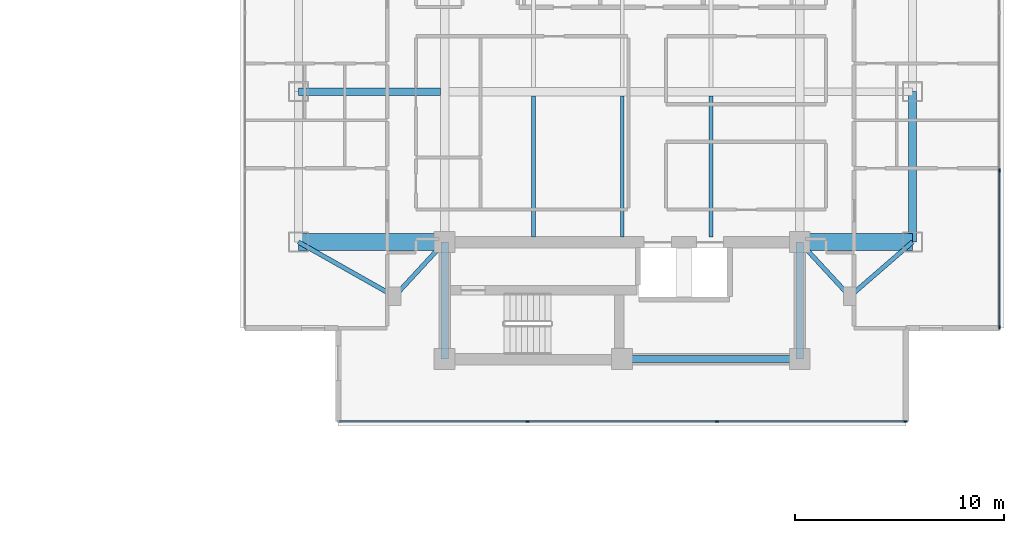
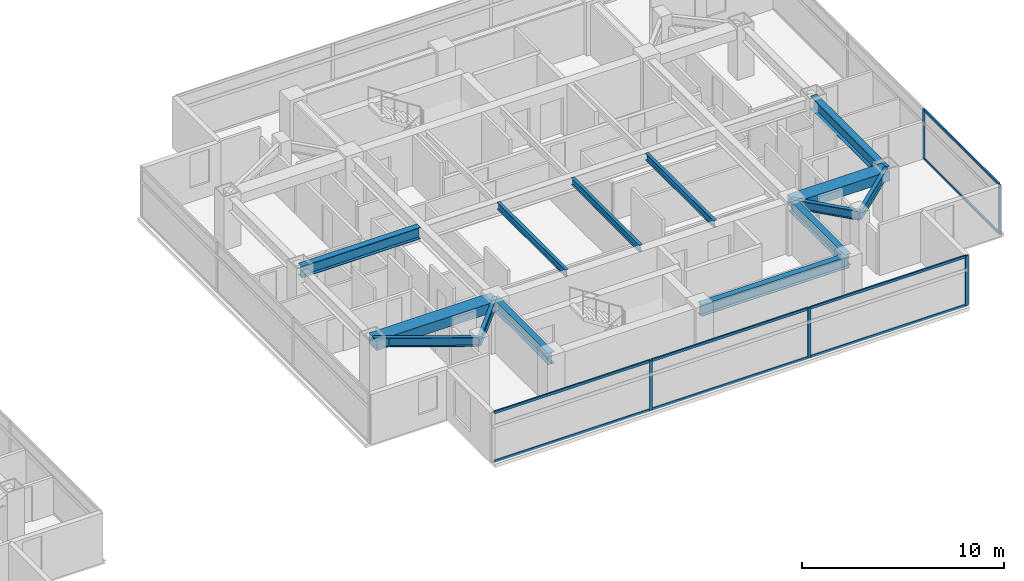
# One storey, part 8 of 25: 14 beams, 13 members, 2 elements without a shape of their own.
"""IFC4 building model written with IfcOpenShell, lengths in metres."""

import ifcopenshell
import ifcopenshell.guid

model = None  # the IFC model being written
_history = None  # IfcOwnerHistory: only IFC2X3 demands one
_inside = {}  # id of a spatial element -> (the spatial element, [elements in it])
_under = {}  # id of a project, library or spatial element -> (it, [spatial elements below it])
_declared = {}  # id of a project -> (the project, [libraries it declares])
_typed = {}  # id of a type object -> (the type object, [elements of that type])
_made_of = {}  # id of a material, layer set ... -> (it, [elements and type objects made of it])


def new_model(schema):
    """Start an empty IFC model of exactly this schema.

    Asked for "IFC4X3", IfcOpenShell would pick the latest addendum, in which some entities
    have other attributes; the version numbers below select the first issue.
    IFC2X3 requires an IfcOwnerHistory on every rooted entity: one is made here for all.
    """
    global model, _history
    if schema == "IFC4X3":
        model = ifcopenshell.file(schema_version=(4, 3, 0, 0))
    else:
        model = ifcopenshell.file(schema=schema)
    _inside.clear()
    _under.clear()
    _declared.clear()
    _typed.clear()
    _made_of.clear()
    _history = None
    if model.schema == "IFC2X3":
        org = make("IfcOrganization", Name="unknown")
        user = make(
            "IfcPersonAndOrganization",
            ThePerson=make("IfcPerson", FamilyName="unknown"),
            TheOrganization=org,
        )
        app = make(
            "IfcApplication",
            ApplicationDeveloper=org,
            Version="unknown",
            ApplicationFullName="unknown",
            ApplicationIdentifier="unknown",
        )
        _history = make(
            "IfcOwnerHistory",
            OwningUser=user,
            OwningApplication=app,
            ChangeAction="ADDED",
            CreationDate=0,
        )
    return model


def make(cls, **values):
    """One entity of the class cls with the attributes given. An attribute that is None is left unset."""
    return model.create_entity(
        cls, **{name: value for name, value in values.items() if value is not None}
    )


def rooted(cls, **values):
    """An entity with a GlobalId (a new one), such as an element, a storey or a relation."""
    return make(cls, GlobalId=ifcopenshell.guid.new(), OwnerHistory=_history, **values)


def si_unit(unit_type, name, prefix=None):
    """IfcSIUnit, for example si_unit("LENGTHUNIT", "METRE", prefix="MILLI")."""
    return make("IfcSIUnit", UnitType=unit_type, Prefix=prefix, Name=name)


def assignment(units):
    """IfcUnitAssignment: the units of a project."""
    return None if units is None else make("IfcUnitAssignment", Units=units)


def point(xyz):
    """IfcCartesianPoint."""
    return None if xyz is None else make("IfcCartesianPoint", Coordinates=xyz)


def direction(xyz):
    """IfcDirection."""
    return None if xyz is None else make("IfcDirection", DirectionRatios=xyz)


def frame(location, z_axis=None, x_axis=None):
    """IfcAxis2Placement3D, a coordinate frame: its origin and axes. An axis left out is left unset."""
    return make(
        "IfcAxis2Placement3D",
        Location=point(location),
        Axis=direction(z_axis),
        RefDirection=direction(x_axis),
    )


def frame_2d(location, x_axis=None):
    """IfcAxis2Placement2D, a coordinate frame in the plane: its origin and x axis."""
    return make(
        "IfcAxis2Placement2D", Location=point(location), RefDirection=direction(x_axis)
    )


def origin():
    """The frame at (0, 0, 0) with its axes left unset."""
    return frame((0.0, 0.0, 0.0))


def origin_2d():
    """The frame at (0, 0) in the plane with its x axis left unset."""
    return frame_2d((0.0, 0.0))


def place(relative_to, where):
    """IfcLocalPlacement: puts the frame where relative to a parent placement (None: the world)."""
    return make(
        "IfcLocalPlacement", PlacementRelTo=relative_to, RelativePlacement=where
    )


def context(
    kind, dimensions, precision=None, world=None, true_north=None, identifier=None
):
    """IfcGeometricRepresentationContext, for example the 3D "Model" context."""
    return make(
        "IfcGeometricRepresentationContext",
        ContextIdentifier=identifier,
        ContextType=kind,
        CoordinateSpaceDimension=dimensions,
        Precision=precision,
        WorldCoordinateSystem=world,
        TrueNorth=true_north,
    )


def subcontext(parent, identifier, kind, view, scale=None):
    """IfcGeometricRepresentationSubContext, for example "Body" below "Model"."""
    return make(
        "IfcGeometricRepresentationSubContext",
        ContextIdentifier=identifier,
        ContextType=kind,
        ParentContext=parent,
        TargetScale=scale,
        TargetView=view,
    )


def project(units=None, contexts=None):
    """IfcProject with its units and contexts."""
    return rooted(
        "IfcProject",
        Name="project",
        RepresentationContexts=contexts,
        UnitsInContext=assignment(units),
    )


def spatial(cls, under=None, at=None, **own):
    """A site, building, storey or space (cls), placed at a placement, below another one or the project."""
    s = rooted(cls, ObjectPlacement=at, **own)
    if under is not None:
        _under.setdefault(under.id(), (under, []))[1].append(s)
    return s


def profile(cls, at=None, kind="AREA", **sizes):
    """A parametric profile (cls). Its sizes go by their IFC names, for example OverallWidth=200.0."""
    return make(cls, ProfileType=kind, Position=at, **sizes)


def rectangle(**sizes):
    """IfcRectangleProfileDef."""
    return profile("IfcRectangleProfileDef", **sizes)


def i_section(**sizes):
    """IfcIShapeProfileDef."""
    return profile("IfcIShapeProfileDef", **sizes)


def extrude(swept, where, along, depth):
    """IfcExtrudedAreaSolid: the profile swept, set in the frame where, extruded along a direction by depth."""
    return make(
        "IfcExtrudedAreaSolid",
        SweptArea=swept,
        Position=where,
        ExtrudedDirection=direction(along),
        Depth=depth,
    )


def shape(context_of_items, identifier, shape_type, items):
    """IfcShapeRepresentation: the items that make up one representation, for example the "Body"."""
    return make(
        "IfcShapeRepresentation",
        ContextOfItems=context_of_items,
        RepresentationIdentifier=identifier,
        RepresentationType=shape_type,
        Items=items,
    )


def material(Name=None, Category=None):
    """IfcMaterial."""
    return make("IfcMaterial", Name=Name, Category=Category)


def material_profile(
    of_material, cross_section, Name=None, Category=None, Priority=None
):
    """IfcMaterialProfile: a cross section and its material."""
    return make(
        "IfcMaterialProfile",
        Name=Name,
        Material=of_material,
        Profile=cross_section,
        Priority=Priority,
        Category=Category,
    )


def profile_set(profiles, Name=None, composite=None):
    """IfcMaterialProfileSet."""
    return make(
        "IfcMaterialProfileSet",
        Name=Name,
        MaterialProfiles=profiles,
        CompositeProfile=composite,
    )


def made_of(thing, what):
    """Note that an element or type object is made of a material, layer set ...; save() writes the relation."""
    if what is not None:
        _made_of.setdefault(what.id(), (what, []))[1].append(thing)
    return thing


def type_object(cls, material=None, **own):
    """A type object (cls), such as IfcWallType, which elements share."""
    return made_of(rooted(cls, **own), material)


def element(
    cls,
    number,
    at=None,
    inside=None,
    cuts=None,
    type_object=None,
    material=None,
    context=None,
    identifier="Body",
    shape_type=None,
    held_by="IfcProductDefinitionShape",
    body=None,
    shapes=None,
    **own,
):
    """One element of the class cls, such as IfcWall. Its Tag is "e" and its number.

    at: its placement. inside: the storey or other place that contains it. cuts: it is an
    opening in that element (IfcRelVoidsElement). A single representation is given by context,
    identifier, shape_type and body (its items); several are given by shapes. held_by: the class
    of the entity that holds the representations. save() writes the other relations.
    """
    e = rooted(cls, Tag="e%d" % number, ObjectPlacement=at, **own)
    if body is not None:
        shapes = [shape(context, identifier, shape_type, body)]
    if shapes is not None:
        e.Representation = make(held_by, Representations=shapes)
    if inside is not None:
        _inside.setdefault(inside.id(), (inside, []))[1].append(e)
    if cuts is not None:
        rooted(
            "IfcRelVoidsElement", RelatingBuildingElement=cuts, RelatedOpeningElement=e
        )
    if type_object is not None:
        _typed.setdefault(type_object.id(), (type_object, []))[1].append(e)
    return made_of(e, material)


def aggregate(whole, parts):
    """IfcRelAggregates: a whole, such as a stair, and the parts it consists of."""
    return rooted("IfcRelAggregates", RelatingObject=whole, RelatedObjects=parts)


def save(model, path):
    """Write the relations noted so far, then the file.

    IfcRelAggregates (storeys below a building ...), IfcRelContainedInSpatialStructure (elements
    in a storey), IfcRelDefinesByType, IfcRelAssociatesMaterial and IfcRelDeclares: one each for
    every whole, place, type object, material and project.
    """
    for whole, parts in _under.values():
        aggregate(whole, parts)
    for where, things in _inside.values():
        rooted(
            "IfcRelContainedInSpatialStructure",
            RelatedElements=things,
            RelatingStructure=where,
        )
    for kind, things in _typed.values():
        rooted("IfcRelDefinesByType", RelatedObjects=things, RelatingType=kind)
    for what, things in _made_of.values():
        rooted("IfcRelAssociatesMaterial", RelatedObjects=things, RelatingMaterial=what)
    for by, libraries in _declared.values():
        rooted("IfcRelDeclares", RelatingContext=by, RelatedDefinitions=libraries)
    model.write(path)


model = new_model("IFC4")

# Units and contexts
model_context = context("Model", 3, precision=1e-05, world=origin(), true_north=direction((0.0, 1.0)))
body_context = subcontext(model_context, "Body", "Model", "MODEL_VIEW")
ifc_project = project(units=[si_unit("LENGTHUNIT", "METRE"), si_unit("AREAUNIT", "SQUARE_METRE"), si_unit("VOLUMEUNIT", "CUBIC_METRE"), si_unit("PLANEANGLEUNIT", "RADIAN"), si_unit("MASSUNIT", "GRAM", prefix="KILO")], contexts=[model_context])

# Site, building, storey
site_placement = place(None, origin())
site = spatial("IfcSite", under=ifc_project, at=site_placement, CompositionType="ELEMENT")
building_placement = place(site_placement, origin())
building = spatial("IfcBuilding", under=site, at=building_placement, Name="Mirazonda Arch Towers", CompositionType="ELEMENT")
storey_placement = place(building_placement, frame((0.0, 0.0, 173.89990234375)))
storey = spatial("IfcBuildingStorey", under=building, at=storey_placement, Name="L49", CompositionType="ELEMENT", Elevation=173.89990234375)

# Beams
ifc_material_1 = material(Name="Steel ASTM A992 Grade 50", Category="steel")
ifc_material_profile_1 = material_profile(ifc_material_1, i_section(OverallWidth=0.381103515625, OverallDepth=0.77294921875, WebThickness=0.0166015625, FlangeThickness=0.027099609375, at=origin_2d()), Name="W30X173")
ifc_profile_set_1 = profile_set([ifc_material_profile_1], Name="Steel ASTM A992 Grade 50")
beam_type_1 = type_object("IfcBeamType", Name="BM-EXT-W30X173", PredefinedType="USERDEFINED", material=ifc_profile_set_1)
beam_1_placement = place(storey_placement, frame((90.39990234375, 20.800048828125, 2.66357421875), z_axis=(0.0, 1.0, 0.0), x_axis=(-1.0, 0.0, 0.0)))
element("IfcBeam", 1, at=beam_1_placement, inside=storey, type_object=beam_type_1, Name="L49 Floor Beam BM-T2-L49-NS-E-20", ObjectType="GIRDER", PredefinedType="USERDEFINED", context=body_context, shape_type="SweptSolid", body=[
    extrude(i_section(OverallWidth=0.381103515625, OverallDepth=0.77294921875, WebThickness=0.0166015625, FlangeThickness=0.027099609375, at=origin_2d()), origin(), (0.0, 0.0, 1.0), 7.199951171875),
])
ifc_material_profile_2 = material_profile(ifc_material_1, i_section(OverallWidth=0.180908203125, OverallDepth=0.4169921875, WebThickness=0.010986328125, FlangeThickness=0.018310546875, at=origin_2d()), Name="W16X57")
ifc_profile_set_2 = profile_set([ifc_material_profile_2], Name="Steel ASTM A992 Grade 50")
beam_type_2 = type_object("IfcBeamType", Name="BM-INT-W16X57", PredefinedType="JOIST", material=ifc_profile_set_2)
for number, where, z_axis, x_axis, name in (
    (2, (72.25, 21.0400390625, 2.841552734375), (0.0, 1.0, 0.0), (-1.0, 0.0, 0.0), "L49 Floor Beam BM-T2-L49-J-722-20"),
    (3, (76.5, 21.0400390625, 2.841552734375), (0.0, 1.0, 0.0), (-1.0, 0.0, 0.0), "L49 Floor Beam BM-T2-L49-J-765-20"),
    (4, (80.75, 21.0400390625, 2.841552734375), (0.0, 1.0, 0.0), (-1.0, 0.0, 0.0), "L49 Floor Beam BM-T2-L49-J-807-20"),
):
    element("IfcBeam", number, at=place(storey_placement, frame(where, z_axis=z_axis, x_axis=x_axis)), inside=storey, type_object=beam_type_2, Name=name, PredefinedType="JOIST", context=body_context, shape_type="SweptSolid", body=[
        extrude(i_section(OverallWidth=0.180908203125, OverallDepth=0.4169921875, WebThickness=0.010986328125, FlangeThickness=0.018310546875, at=origin_2d()), origin(), (0.0, 0.0, 1.0), 6.763916015625),
    ])
ifc_material_profile_3 = material_profile(ifc_material_1, i_section(OverallWidth=0.214111328125, OverallDepth=0.549072265625, WebThickness=0.0146484375, FlangeThickness=0.023681640625, at=origin_2d()), Name="W21X93")
ifc_profile_set_3 = profile_set([ifc_material_profile_3], Name="Steel ASTM A992 Grade 50")
beam_type_3 = type_object("IfcBeamType", Name="BM-INT-W21X93", PredefinedType="BEAM", material=ifc_profile_set_3)
beam_2_placement = place(storey_placement, frame((65.60009765625, 18.199951171875, 2.775634765625), z_axis=(0.678251444854, 0.734829897019, 0.0), x_axis=(-0.734829897019, 0.678251444854, 0.0)))
element("IfcBeam", 5, at=beam_2_placement, inside=storey, type_object=beam_type_3, Name="L49 Floor Beam BM-T2-L49-PL-SW1", PredefinedType="BEAM", context=body_context, shape_type="SweptSolid", body=[
    extrude(i_section(OverallWidth=0.214111328125, OverallDepth=0.549072265625, WebThickness=0.0146484375, FlangeThickness=0.023681640625, at=origin_2d()), origin(), (0.0, 0.0, 1.0), 3.538330078125),
])
beam_3_placement = place(storey_placement, frame((65.60009765625, 18.199951171875, 2.775634765625), z_axis=(-0.870559396632, 0.492063346467, 0.0), x_axis=(-0.492063346467, -0.870559396632, 0.0)))
element("IfcBeam", 6, at=beam_3_placement, inside=storey, type_object=beam_type_3, Name="L49 Floor Beam BM-T2-L49-PL-SW2", PredefinedType="BEAM", context=body_context, shape_type="SweptSolid", body=[
    extrude(i_section(OverallWidth=0.214111328125, OverallDepth=0.549072265625, WebThickness=0.0146484375, FlangeThickness=0.023681640625, at=origin_2d()), origin(), (0.0, 0.0, 1.0), 5.2841796875),
])
beam_4_placement = place(storey_placement, frame((87.39990234375, 18.199951171875, 2.775634765625), z_axis=(-0.678251444854, 0.734829897019, 0.0), x_axis=(-0.734829897019, -0.678251444854, 0.0)))
element("IfcBeam", 7, at=beam_4_placement, inside=storey, type_object=beam_type_3, Name="L49 Floor Beam BM-T2-L49-PL-SE1", PredefinedType="BEAM", context=body_context, shape_type="SweptSolid", body=[
    extrude(i_section(OverallWidth=0.214111328125, OverallDepth=0.549072265625, WebThickness=0.0146484375, FlangeThickness=0.023681640625, at=origin_2d()), origin(), (0.0, 0.0, 1.0), 3.538330078125),
])
beam_5_placement = place(storey_placement, frame((87.39990234375, 18.199951171875, 2.775634765625), z_axis=(0.755676908098, 0.654944585876, 0.0), x_axis=(-0.654944585876, 0.755676908098, 0.0)))
element("IfcBeam", 8, at=beam_5_placement, inside=storey, type_object=beam_type_3, Name="L49 Floor Beam BM-T2-L49-PL-SE2", PredefinedType="BEAM", context=body_context, shape_type="SweptSolid", body=[
    extrude(i_section(OverallWidth=0.214111328125, OverallDepth=0.549072265625, WebThickness=0.0146484375, FlangeThickness=0.023681640625, at=origin_2d()), origin(), (0.0, 0.0, 1.0), 3.969970703125),
])
ifc_material_profile_4 = material_profile(ifc_material_1, i_section(OverallWidth=0.35498046875, OverallDepth=0.696044921875, WebThickness=0.015380859375, FlangeThickness=0.02490234375, at=origin_2d()), Name="W27X146")
ifc_profile_set_4 = profile_set([ifc_material_profile_4], Name="Steel ASTM A992 Grade 50")
beam_type_4 = type_object("IfcBeamType", Name="BM-INT-W27X146", PredefinedType="BEAM", material=ifc_profile_set_4)
beam_6_placement = place(storey_placement, frame((76.5, 15.199951171875, 2.7021484375), z_axis=(1.0, 0.0, 0.0), x_axis=(0.0, 1.0, 0.0)))
element("IfcBeam", 9, at=beam_6_placement, inside=storey, type_object=beam_type_4, Name="L49 Floor Beam BM-T2-L49-CS2", PredefinedType="BEAM", context=body_context, shape_type="SweptSolid", body=[
    extrude(i_section(OverallWidth=0.35498046875, OverallDepth=0.696044921875, WebThickness=0.015380859375, FlangeThickness=0.02490234375, at=origin_2d()), origin(), (0.0, 0.0, 1.0), 8.5),
])
for number, where, z_axis, x_axis, name in (
    (10, (68.0, 15.199951171875, 2.7021484375), (0.0, 1.0, 0.0), (-1.0, 0.0, 0.0), "L49 Floor Beam BM-T2-L49-CSW"),
    (11, (85.0, 15.199951171875, 2.7021484375), (0.0, 1.0, 0.0), (-1.0, 0.0, 0.0), "L49 Floor Beam BM-T2-L49-CSE"),
):
    element("IfcBeam", number, at=place(storey_placement, frame(where, z_axis=z_axis, x_axis=x_axis)), inside=storey, type_object=beam_type_4, Name=name, PredefinedType="BEAM", context=body_context, shape_type="SweptSolid", body=[
        extrude(i_section(OverallWidth=0.35498046875, OverallDepth=0.696044921875, WebThickness=0.015380859375, FlangeThickness=0.02490234375, at=origin_2d()), origin(), (0.0, 0.0, 1.0), 5.60009765625),
    ])
beam_7_placement = place(storey_placement, frame((61.0, 28.0, 2.7021484375), z_axis=(1.0, 0.0, 0.0), x_axis=(0.0, 1.0, 0.0)))
element("IfcBeam", 12, at=beam_7_placement, inside=storey, type_object=beam_type_4, Name="L49 Floor Beam BM-T2-L49-GW2", PredefinedType="BEAM", context=body_context, shape_type="SweptSolid", body=[
    extrude(i_section(OverallWidth=0.35498046875, OverallDepth=0.696044921875, WebThickness=0.015380859375, FlangeThickness=0.02490234375, at=origin_2d()), origin(), (0.0, 0.0, 1.0), 6.800048828125),
])
ifc_material_2 = material(Name="Concrete C60/75", Category="concrete")
ifc_material_profile_5 = material_profile(ifc_material_2, rectangle(XDim=0.800048828125, YDim=0.60009765625, at=origin_2d()), Name="RCCB800x600")
ifc_profile_set_5 = profile_set([ifc_material_profile_5], Name="Concrete C60/75")
beam_type_5 = type_object("IfcBeamType", Name="CB-INT-RCCB800x600", PredefinedType="SPANDREL", material=ifc_profile_set_5)
beam_8_placement = place(storey_placement, frame((61.0, 20.800048828125, 2.75), z_axis=(1.0, 0.0, 0.0), x_axis=(0.0, 1.0, 0.0)))
element("IfcBeam", 13, at=beam_8_placement, inside=storey, type_object=beam_type_5, Name="L49 Floor Beam CBC-T2-L49-SW", PredefinedType="SPANDREL", context=body_context, shape_type="SweptSolid", body=[
    extrude(rectangle(XDim=0.800048828125, YDim=0.60009765625, at=origin_2d()), origin(), (0.0, 0.0, 1.0), 7.0),
])
beam_9_placement = place(storey_placement, frame((85.0, 20.800048828125, 2.75), z_axis=(1.0, 0.0, 0.0), x_axis=(0.0, 1.0, 0.0)))
element("IfcBeam", 14, at=beam_9_placement, inside=storey, type_object=beam_type_5, Name="L49 Floor Beam CBC-T2-L49-SE", PredefinedType="SPANDREL", context=body_context, shape_type="SweptSolid", body=[
    extrude(rectangle(XDim=0.800048828125, YDim=0.60009765625, at=origin_2d()), origin(), (0.0, 0.0, 1.0), 5.39990234375),
])

# Curtain wall, members
ifc_material_3 = material(Name="Anodised Aluminium and Low-E Glass", Category="aluminium")
curtain_wall_type = type_object("IfcCurtainWallType", Name="CW-RES-UNIT", PredefinedType="NOTDEFINED", material=ifc_material_3)
curtain_wall_1_placement = place(storey_placement, origin())
curtain_wall_1 = element("IfcCurtainWall", 15, at=curtain_wall_1_placement, inside=storey, type_object=curtain_wall_type, Name="L49 T2 S Facade CW-L49-T2-S", PredefinedType="NOTDEFINED")
ifc_material_4 = material(Name="Anodised Aluminium Alloy", Category="aluminium")
ifc_material_profile_6 = material_profile(ifc_material_4, rectangle(XDim=0.074951171875, YDim=0.175048828125, at=origin_2d()), Name="ALU-MULL-75x175")
ifc_profile_set_6 = profile_set([ifc_material_profile_6], Name="Anodised Aluminium Alloy")
member_type_1 = type_object("IfcMemberType", Name="MULL-CW-RES-UNIT", PredefinedType="MULLION", material=ifc_profile_set_6)
member_1_placement = place(storey_placement, frame((90.057861328125, 12.208740234375, 0.0), z_axis=(0.0, 0.0, 1.0), x_axis=(0.0, -1.0, 0.0)))
member_1 = element("IfcMember", 16, at=member_1_placement, type_object=member_type_1, Name="CW-104 mullion 1", PredefinedType="MULLION", context=body_context, shape_type="SweptSolid", body=[
    extrude(rectangle(XDim=0.074951171875, YDim=0.175048828125, at=origin_2d()), origin(), (0.0, 0.0, 1.0), 3.030029296875),
])
member_2_placement = place(storey_placement, frame((81.03173828125, 12.208740234375, 0.0), z_axis=(0.0, 0.0, 1.0), x_axis=(0.0, -1.0, 0.0)))
member_2 = element("IfcMember", 17, at=member_2_placement, type_object=member_type_1, Name="CW-104 mullion 2", PredefinedType="MULLION", context=body_context, shape_type="SweptSolid", body=[
    extrude(rectangle(XDim=0.074951171875, YDim=0.175048828125, at=origin_2d()), origin(), (0.0, 0.0, 1.0), 3.030029296875),
])
member_3_placement = place(storey_placement, frame((71.96826171875, 12.208740234375, 0.0), z_axis=(0.0, 0.0, 1.0), x_axis=(0.0, -1.0, 0.0)))
member_3 = element("IfcMember", 18, at=member_3_placement, type_object=member_type_1, Name="CW-104 mullion 3", PredefinedType="MULLION", context=body_context, shape_type="SweptSolid", body=[
    extrude(rectangle(XDim=0.074951171875, YDim=0.175048828125, at=origin_2d()), origin(), (0.0, 0.0, 1.0), 3.030029296875),
])

curtain_wall_2_placement = place(storey_placement, origin())
curtain_wall_2 = element("IfcCurtainWall", 19, at=curtain_wall_2_placement, inside=storey, type_object=curtain_wall_type, Name="L49 T2 E Facade CW-L49-T2-E", PredefinedType="NOTDEFINED")
member_4_placement = place(storey_placement, frame((94.560546875, 16.71142578125, 0.0), z_axis=(0.0, 0.0, 1.0), x_axis=(-1.0, 0.0, 0.0)))
member_4 = element("IfcMember", 20, at=member_4_placement, type_object=member_type_1, Name="CW-104 mullion 1", PredefinedType="MULLION", context=body_context, shape_type="SweptSolid", body=[
    extrude(rectangle(XDim=0.074951171875, YDim=0.175048828125, at=origin_2d()), origin(), (0.0, 0.0, 1.0), 3.030029296875),
])
member_5_placement = place(storey_placement, frame((94.560546875, 24.224609375, 0.0), z_axis=(0.0, 0.0, 1.0), x_axis=(-1.0, 0.0, 0.0)))
member_5 = element("IfcMember", 21, at=member_5_placement, type_object=member_type_1, Name="CW-104 mullion 2", PredefinedType="MULLION", context=body_context, shape_type="SweptSolid", body=[
    extrude(rectangle(XDim=0.074951171875, YDim=0.175048828125, at=origin_2d()), origin(), (0.0, 0.0, 1.0), 3.030029296875),
])

# Member
ifc_material_profile_7 = material_profile(ifc_material_4, rectangle(XDim=0.074951171875, YDim=0.155029296875, at=origin_2d()), Name="ALU-TRAN-75x155")
ifc_profile_set_7 = profile_set([ifc_material_profile_7], Name="Anodised Aluminium Alloy")
member_type_2 = type_object("IfcMemberType", Name="TRAN-CW-RES-UNIT", PredefinedType="USERDEFINED", material=ifc_profile_set_7)
member_6_placement = place(storey_placement, frame((90.020263671875, 12.208740234375, 0.03759765625), z_axis=(-1.0, 0.0, 0.0), x_axis=(0.0, -1.0, 0.0)))
member_6 = element("IfcMember", 22, at=member_6_placement, type_object=member_type_2, Name="CW-104 transom 1.1", ObjectType="TRANSOM", PredefinedType="USERDEFINED", context=body_context, shape_type="SweptSolid", body=[
    extrude(rectangle(XDim=0.074951171875, YDim=0.155029296875, at=origin_2d()), origin(), (0.0, 0.0, 1.0), 8.950927734375),
])

member_7_placement = place(storey_placement, frame((90.020263671875, 12.208740234375, 2.99267578125), z_axis=(-1.0, 0.0, 0.0), x_axis=(0.0, -1.0, 0.0)))
member_7 = element("IfcMember", 23, at=member_7_placement, type_object=member_type_2, Name="CW-104 transom 1.2", ObjectType="TRANSOM", PredefinedType="USERDEFINED", context=body_context, shape_type="SweptSolid", body=[
    extrude(rectangle(XDim=0.074951171875, YDim=0.155029296875, at=origin_2d()), origin(), (0.0, 0.0, 1.0), 8.950927734375),
])

member_8_placement = place(storey_placement, frame((80.994384765625, 12.208740234375, 0.03759765625), z_axis=(-1.0, 0.0, 0.0), x_axis=(0.0, -1.0, 0.0)))
member_8 = element("IfcMember", 24, at=member_8_placement, type_object=member_type_2, Name="CW-104 transom 2.1", ObjectType="TRANSOM", PredefinedType="USERDEFINED", context=body_context, shape_type="SweptSolid", body=[
    extrude(rectangle(XDim=0.074951171875, YDim=0.155029296875, at=origin_2d()), origin(), (0.0, 0.0, 1.0), 8.98876953125),
])

member_9_placement = place(storey_placement, frame((80.994384765625, 12.208740234375, 2.99267578125), z_axis=(-1.0, 0.0, 0.0), x_axis=(0.0, -1.0, 0.0)))
member_9 = element("IfcMember", 25, at=member_9_placement, type_object=member_type_2, Name="CW-104 transom 2.2", ObjectType="TRANSOM", PredefinedType="USERDEFINED", context=body_context, shape_type="SweptSolid", body=[
    extrude(rectangle(XDim=0.074951171875, YDim=0.155029296875, at=origin_2d()), origin(), (0.0, 0.0, 1.0), 8.98876953125),
])

member_10_placement = place(storey_placement, frame((71.9306640625, 12.208740234375, 0.03759765625), z_axis=(-1.0, 0.0, 0.0), x_axis=(0.0, -1.0, 0.0)))
member_10 = element("IfcMember", 26, at=member_10_placement, type_object=member_type_2, Name="CW-104 transom 3.1", ObjectType="TRANSOM", PredefinedType="USERDEFINED", context=body_context, shape_type="SweptSolid", body=[
    extrude(rectangle(XDim=0.074951171875, YDim=0.155029296875, at=origin_2d()), origin(), (0.0, 0.0, 1.0), 8.950927734375),
])

member_11_placement = place(storey_placement, frame((71.9306640625, 12.208740234375, 2.99267578125), z_axis=(-1.0, 0.0, 0.0), x_axis=(0.0, -1.0, 0.0)))
member_11 = element("IfcMember", 27, at=member_11_placement, type_object=member_type_2, Name="CW-104 transom 3.2", ObjectType="TRANSOM", PredefinedType="USERDEFINED", context=body_context, shape_type="SweptSolid", body=[
    extrude(rectangle(XDim=0.074951171875, YDim=0.155029296875, at=origin_2d()), origin(), (0.0, 0.0, 1.0), 8.950927734375),
])

aggregate(curtain_wall_1, [member_1, member_2, member_3, member_6, member_7, member_8, member_9, member_10, member_11])

member_12_placement = place(storey_placement, frame((94.560546875, 16.748779296875, 0.03759765625), z_axis=(0.0, 1.0, 0.0), x_axis=(-1.0, 0.0, 0.0)))
member_12 = element("IfcMember", 28, at=member_12_placement, type_object=member_type_2, Name="CW-104 transom 1.1", ObjectType="TRANSOM", PredefinedType="USERDEFINED", context=body_context, shape_type="SweptSolid", body=[
    extrude(rectangle(XDim=0.074951171875, YDim=0.155029296875, at=origin_2d()), origin(), (0.0, 0.0, 1.0), 7.438232421875),
])

member_13_placement = place(storey_placement, frame((94.560546875, 16.748779296875, 2.99267578125), z_axis=(0.0, 1.0, 0.0), x_axis=(-1.0, 0.0, 0.0)))
member_13 = element("IfcMember", 29, at=member_13_placement, type_object=member_type_2, Name="CW-104 transom 1.2", ObjectType="TRANSOM", PredefinedType="USERDEFINED", context=body_context, shape_type="SweptSolid", body=[
    extrude(rectangle(XDim=0.074951171875, YDim=0.155029296875, at=origin_2d()), origin(), (0.0, 0.0, 1.0), 7.438232421875),
])

aggregate(curtain_wall_2, [member_4, member_5, member_12, member_13])

save(model, "model.ifc")
